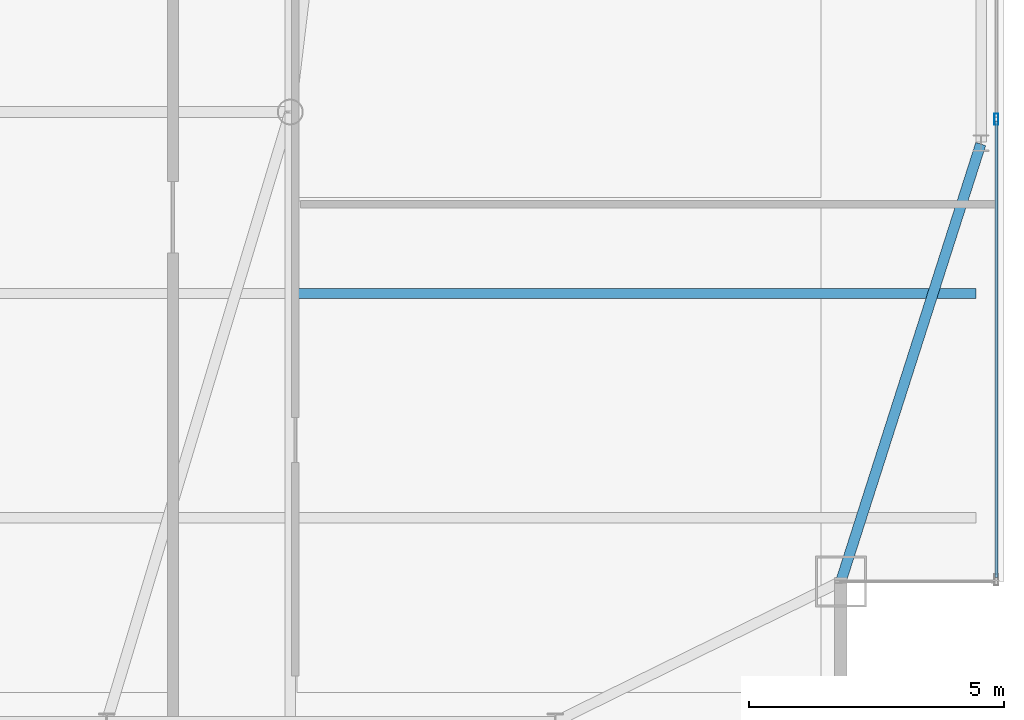
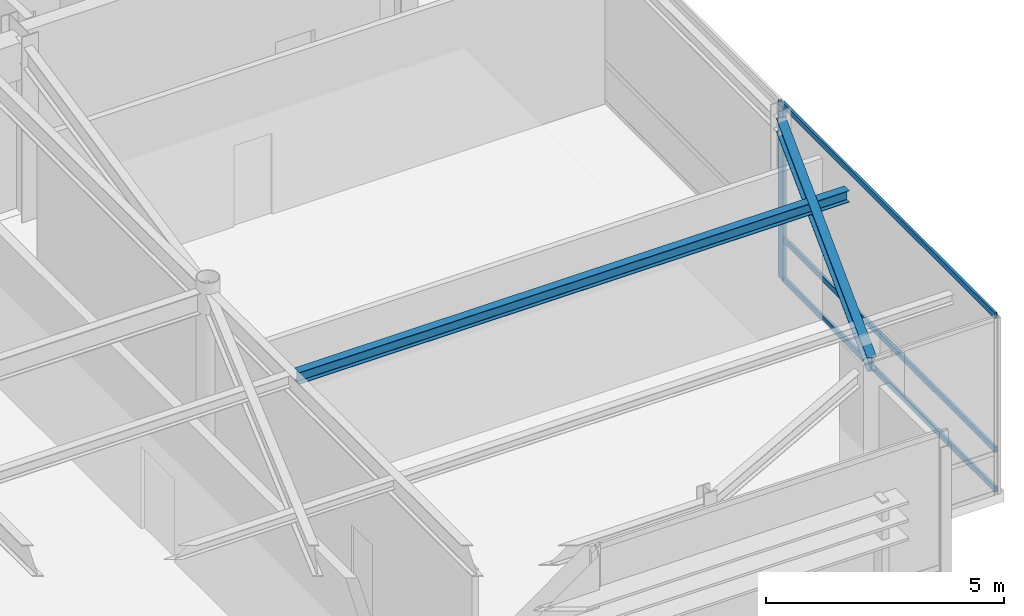
# One storey, part 13 of 22: 4 members, 2 beams, 1 element without a shape of its own.
"""IFC4 building model written with IfcOpenShell, lengths in metres."""

from ifc_helpers import new_model, si_unit, direction, frame, origin, origin_2d, place, context, subcontext, project, spatial, hollow_rectangle, i_section, extrude, source, transform, mapped, material, layer, layer_set, material_profile, profile_set, type_object, type_shapes, element, aggregate, save


model = new_model("IFC4")

# Units and contexts
model_context = context("Model", 3, precision=1e-05, world=origin(), true_north=direction((0.0, 1.0)))
body_context = subcontext(model_context, "Body", "Model", "MODEL_VIEW")
ifc_project = project(units=[si_unit("LENGTHUNIT", "METRE"), si_unit("AREAUNIT", "SQUARE_METRE"), si_unit("VOLUMEUNIT", "CUBIC_METRE"), si_unit("PLANEANGLEUNIT", "RADIAN"), si_unit("MASSUNIT", "GRAM", prefix="KILO")], contexts=[model_context])

# Site, building, storey
site_placement = place(None, origin())
site = spatial("IfcSite", under=ifc_project, at=site_placement, CompositionType="ELEMENT")
building_placement = place(site_placement, origin())
building = spatial("IfcBuilding", under=site, at=building_placement, Name="Varnel Quay Broadcast Tower", CompositionType="ELEMENT")
storey_placement = place(building_placement, frame((0.0, 0.0, 305.0)))
storey = spatial("IfcBuildingStorey", under=building, at=storey_placement, Name="L76", CompositionType="ELEMENT", Elevation=305.0)

# Beams
ifc_material_1 = material(Name="Structural Steel CSA G40.21 350W", Category="steel")
ifc_material_profile_1 = material_profile(ifc_material_1, i_section(OverallWidth=0.205078125, OverallDepth=0.35400390625, WebThickness=0.009521484375, FlangeThickness=0.016845703125, FilletRadius=0.012939453125, at=origin_2d()), Name="W360X79")
ifc_profile_set_1 = profile_set([ifc_material_profile_1], Name="Structural Steel CSA G40.21 350W")
beam_type_1 = type_object("IfcBeamType", Name="Beam_W360X79", PredefinedType="SPANDREL", material=ifc_profile_set_1)
shared_shape_1 = source(origin(), body_context, "Body", "SweptSolid", [
    extrude(i_section(OverallWidth=0.205078125, OverallDepth=0.35400390625, WebThickness=0.009521484375, FlangeThickness=0.016845703125, FilletRadius=0.012939453125, at=origin_2d()), origin(), (0.0, 0.0, 1.0), 8.989013671875),
])
type_shapes(beam_type_1, [shared_shape_1])
beam_1_placement = place(storey_placement, frame((52.80615234375, 16.4189453125, 4.343017578125), z_axis=(0.304568770162, 0.952490348635, 0.0), x_axis=(-0.952490348635, 0.304568770162, 0.0)))
element("IfcBeam", 1, at=beam_1_placement, inside=storey, type_object=beam_type_1, Name="L76 East Spandrel MC-SE-TC-E1", PredefinedType="SPANDREL", context=body_context, shape_type="MappedRepresentation", body=[
    mapped(shared_shape_1, transform((0.0, 0.0, 0.0), x_axis=(1.0, 0.0, 0.0), y_axis=(0.0, 1.0, 0.0), z_axis=(0.0, 0.0, 1.0), scale=1.0)),
])
ifc_material_profile_2 = material_profile(ifc_material_1, i_section(OverallWidth=0.202880859375, OverallDepth=0.302978515625, WebThickness=0.007568359375, FlangeThickness=0.01318359375, FilletRadius=0.011962890625, at=origin_2d()), Name="W310X60")
ifc_profile_set_2 = profile_set([ifc_material_profile_2], Name="Structural Steel CSA G40.21 350W")
beam_type_2 = type_object("IfcBeamType", Name="Beam_W310X60", PredefinedType="JOIST", material=ifc_profile_set_2)
shared_shape_2 = source(origin(), body_context, "Body", "SweptSolid", [
    extrude(i_section(OverallWidth=0.202880859375, OverallDepth=0.302978515625, WebThickness=0.007568359375, FlangeThickness=0.01318359375, FilletRadius=0.011962890625, at=origin_2d()), origin(), (0.0, 0.0, 1.0), 13.351318359375),
])
type_shapes(beam_type_2, [shared_shape_2])
beam_2_placement = place(storey_placement, frame((42.10107421875, 22.050048828125, 4.368408203125), z_axis=(1.0, 0.0, 0.0), x_axis=(0.0, 1.0, 0.0)))
element("IfcBeam", 2, at=beam_2_placement, inside=storey, type_object=beam_type_2, Name="L76 East Floor Joist 2", PredefinedType="JOIST", context=body_context, shape_type="MappedRepresentation", body=[
    mapped(shared_shape_2, transform((0.0, 0.0, 0.0), x_axis=(1.0, 0.0, 0.0), y_axis=(0.0, 1.0, 0.0), z_axis=(0.0, 0.0, 1.0), scale=1.0)),
])

# Curtain wall, members
ifc_material_2 = material(Name="Anodised Bronze Aluminium 6063-T6", Category="aluminium")
ifc_layer = layer(ifc_material_2, 0.18994140625, Name="Anodised Bronze Aluminium 6063-T6")
ifc_layer_set = layer_set([ifc_layer], Name="Anodised Bronze Aluminium 6063-T6")
curtain_wall_type = type_object("IfcCurtainWallType", Name="CW_SkyObsHighVis", PredefinedType="NOTDEFINED", material=ifc_layer_set)
curtain_wall_placement = place(storey_placement, origin())
curtain_wall = element("IfcCurtainWall", 3, at=curtain_wall_placement, inside=storey, type_object=curtain_wall_type, Name="L76 East Unitised Curtain Wall", PredefinedType="NOTDEFINED")
ifc_material_profile_3 = material_profile(ifc_material_2, hollow_rectangle(XDim=0.074951171875, YDim=0.219970703125, WallThickness=0.00390625, at=origin_2d()), Name="ALU75X220X4")
ifc_profile_set_3 = profile_set([ifc_material_profile_3], Name="Anodised Bronze Aluminium 6063-T6")
member_type_1 = type_object("IfcMemberType", Name="Mull_CWS-05", PredefinedType="MULLION", material=ifc_profile_set_3)
shared_shape_3 = source(origin(), body_context, "Body", "SweptSolid", [
    extrude(hollow_rectangle(XDim=0.074951171875, YDim=0.219970703125, WallThickness=0.00390625, at=origin_2d()), origin(), (0.0, 0.0, 1.0), 4.52001953125),
])
type_shapes(member_type_1, [shared_shape_3])
member_1_placement = place(storey_placement, frame((55.85009765625, 25.466552734375, 0.0), z_axis=(0.0, 0.0, 1.0), x_axis=(-1.0, 0.0, 0.0)))
member_1 = element("IfcMember", 4, at=member_1_placement, type_object=member_type_1, Name="CWS-05 mullion 2", PredefinedType="MULLION", context=body_context, shape_type="MappedRepresentation", body=[
    mapped(shared_shape_3, transform((0.0, 0.0, 0.0), x_axis=(1.0, 0.0, 0.0), y_axis=(0.0, 1.0, 0.0), z_axis=(0.0, 0.0, 1.0), scale=1.0)),
])
ifc_material_profile_4 = material_profile(ifc_material_2, hollow_rectangle(XDim=0.06005859375, YDim=0.14501953125, WallThickness=0.00341796875, at=origin_2d()), Name="ALU60X145X3.5")
ifc_profile_set_4 = profile_set([ifc_material_profile_4], Name="Anodised Bronze Aluminium 6063-T6")
member_type_2 = type_object("IfcMemberType", Name="Tran_CWS-05", PredefinedType="USERDEFINED", material=ifc_profile_set_4)
shared_shape_4 = source(origin(), body_context, "Body", "SweptSolid", [
    extrude(hollow_rectangle(XDim=0.06005859375, YDim=0.14501953125, WallThickness=0.00341796875, at=origin_2d()), origin(), (0.0, 0.0, 1.0), 8.9541015625),
])
type_shapes(member_type_2, [shared_shape_4])
member_2_placement = place(storey_placement, frame((55.85009765625, 16.47509765625, 0.030029296875), z_axis=(0.0, 1.0, 0.0), x_axis=(-1.0, 0.0, 0.0)))
member_2 = element("IfcMember", 5, at=member_2_placement, type_object=member_type_2, Name="CWS-05 transom 1.1", ObjectType="TRANSOM", PredefinedType="USERDEFINED", context=body_context, shape_type="MappedRepresentation", body=[
    mapped(shared_shape_4, transform((0.0, 0.0, 0.0), x_axis=(1.0, 0.0, 0.0), y_axis=(0.0, 1.0, 0.0), z_axis=(0.0, 0.0, 1.0), scale=1.0)),
])
member_3_placement = place(storey_placement, frame((55.85009765625, 16.47509765625, 1.050048828125), z_axis=(0.0, 1.0, 0.0), x_axis=(-1.0, 0.0, 0.0)))
member_3 = element("IfcMember", 6, at=member_3_placement, type_object=member_type_2, Name="CWS-05 transom 1.2", ObjectType="TRANSOM", PredefinedType="USERDEFINED", context=body_context, shape_type="MappedRepresentation", body=[
    mapped(shared_shape_4, transform((0.0, 0.0, 0.0), x_axis=(1.0, 0.0, 0.0), y_axis=(0.0, 1.0, 0.0), z_axis=(0.0, 0.0, 1.0), scale=1.0)),
])
member_4_placement = place(storey_placement, frame((55.85009765625, 16.47509765625, 4.489990234375), z_axis=(0.0, 1.0, 0.0), x_axis=(-1.0, 0.0, 0.0)))
member_4 = element("IfcMember", 7, at=member_4_placement, type_object=member_type_2, Name="CWS-05 transom 1.3", ObjectType="TRANSOM", PredefinedType="USERDEFINED", context=body_context, shape_type="MappedRepresentation", body=[
    mapped(shared_shape_4, transform((0.0, 0.0, 0.0), x_axis=(1.0, 0.0, 0.0), y_axis=(0.0, 1.0, 0.0), z_axis=(0.0, 0.0, 1.0), scale=1.0)),
])
aggregate(curtain_wall, [member_1, member_2, member_3, member_4])

save(model, "model.ifc")
